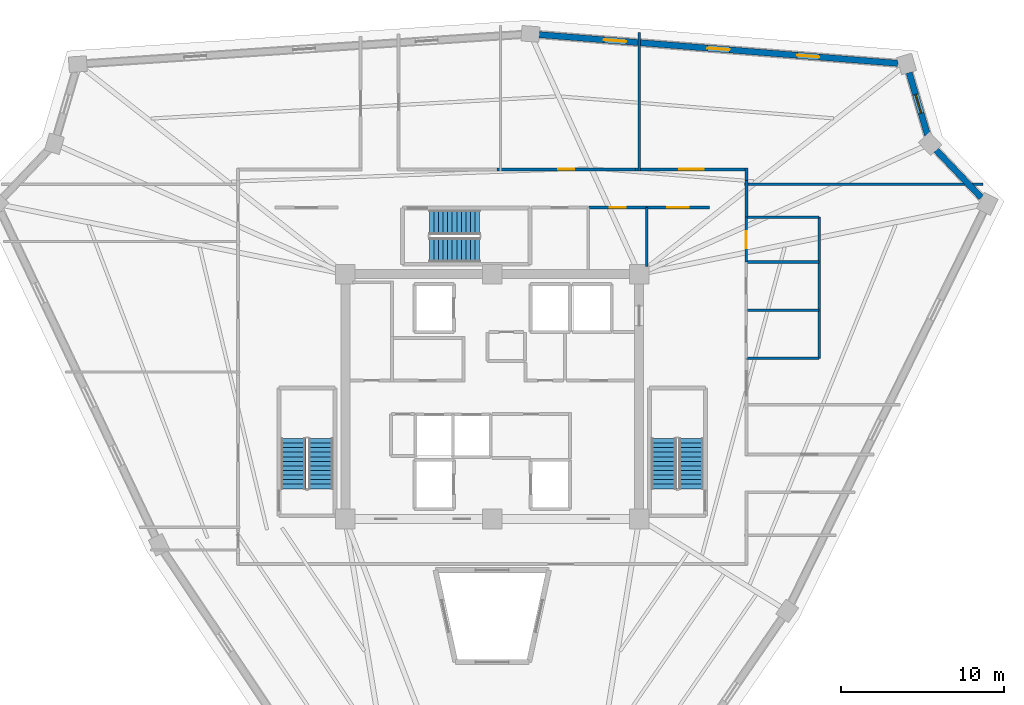
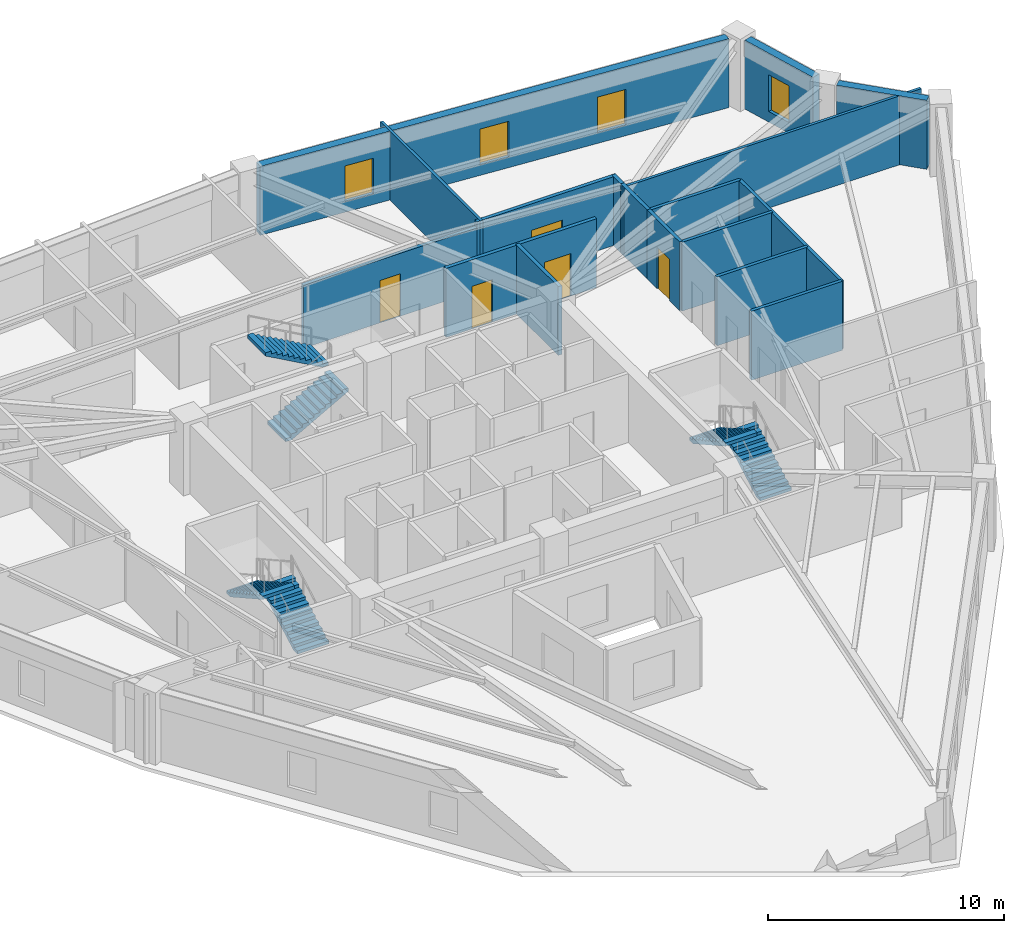
# One storey, part 7 of 8: 18 walls, 6 stair flights, 5 doors, 4 windows, 9 openings, 3 elements without a shape of their own.
"""IFC4 building model written with IfcOpenShell, lengths in metres."""

import ifcopenshell
import ifcopenshell.guid

model = None  # the IFC model being written
_history = None  # IfcOwnerHistory: only IFC2X3 demands one
_inside = {}  # id of a spatial element -> (the spatial element, [elements in it])
_under = {}  # id of a project, library or spatial element -> (it, [spatial elements below it])
_declared = {}  # id of a project -> (the project, [libraries it declares])
_typed = {}  # id of a type object -> (the type object, [elements of that type])
_made_of = {}  # id of a material, layer set ... -> (it, [elements and type objects made of it])


def new_model(schema):
    """Start an empty IFC model of exactly this schema.

    Asked for "IFC4X3", IfcOpenShell would pick the latest addendum, in which some entities
    have other attributes; the version numbers below select the first issue.
    IFC2X3 requires an IfcOwnerHistory on every rooted entity: one is made here for all.
    """
    global model, _history
    if schema == "IFC4X3":
        model = ifcopenshell.file(schema_version=(4, 3, 0, 0))
    else:
        model = ifcopenshell.file(schema=schema)
    _inside.clear()
    _under.clear()
    _declared.clear()
    _typed.clear()
    _made_of.clear()
    _history = None
    if model.schema == "IFC2X3":
        org = make("IfcOrganization", Name="unknown")
        user = make(
            "IfcPersonAndOrganization",
            ThePerson=make("IfcPerson", FamilyName="unknown"),
            TheOrganization=org,
        )
        app = make(
            "IfcApplication",
            ApplicationDeveloper=org,
            Version="unknown",
            ApplicationFullName="unknown",
            ApplicationIdentifier="unknown",
        )
        _history = make(
            "IfcOwnerHistory",
            OwningUser=user,
            OwningApplication=app,
            ChangeAction="ADDED",
            CreationDate=0,
        )
    return model


def make(cls, **values):
    """One entity of the class cls with the attributes given. An attribute that is None is left unset."""
    return model.create_entity(
        cls, **{name: value for name, value in values.items() if value is not None}
    )


def rooted(cls, **values):
    """An entity with a GlobalId (a new one), such as an element, a storey or a relation."""
    return make(cls, GlobalId=ifcopenshell.guid.new(), OwnerHistory=_history, **values)


def si_unit(unit_type, name, prefix=None):
    """IfcSIUnit, for example si_unit("LENGTHUNIT", "METRE", prefix="MILLI")."""
    return make("IfcSIUnit", UnitType=unit_type, Prefix=prefix, Name=name)


def assignment(units):
    """IfcUnitAssignment: the units of a project."""
    return None if units is None else make("IfcUnitAssignment", Units=units)


def point(xyz):
    """IfcCartesianPoint."""
    return None if xyz is None else make("IfcCartesianPoint", Coordinates=xyz)


def direction(xyz):
    """IfcDirection."""
    return None if xyz is None else make("IfcDirection", DirectionRatios=xyz)


def frame(location, z_axis=None, x_axis=None):
    """IfcAxis2Placement3D, a coordinate frame: its origin and axes. An axis left out is left unset."""
    return make(
        "IfcAxis2Placement3D",
        Location=point(location),
        Axis=direction(z_axis),
        RefDirection=direction(x_axis),
    )


def frame_2d(location, x_axis=None):
    """IfcAxis2Placement2D, a coordinate frame in the plane: its origin and x axis."""
    return make(
        "IfcAxis2Placement2D", Location=point(location), RefDirection=direction(x_axis)
    )


def origin():
    """The frame at (0, 0, 0) with its axes left unset."""
    return frame((0.0, 0.0, 0.0))


def place(relative_to, where):
    """IfcLocalPlacement: puts the frame where relative to a parent placement (None: the world)."""
    return make(
        "IfcLocalPlacement", PlacementRelTo=relative_to, RelativePlacement=where
    )


def context(
    kind, dimensions, precision=None, world=None, true_north=None, identifier=None
):
    """IfcGeometricRepresentationContext, for example the 3D "Model" context."""
    return make(
        "IfcGeometricRepresentationContext",
        ContextIdentifier=identifier,
        ContextType=kind,
        CoordinateSpaceDimension=dimensions,
        Precision=precision,
        WorldCoordinateSystem=world,
        TrueNorth=true_north,
    )


def subcontext(parent, identifier, kind, view, scale=None):
    """IfcGeometricRepresentationSubContext, for example "Body" below "Model"."""
    return make(
        "IfcGeometricRepresentationSubContext",
        ContextIdentifier=identifier,
        ContextType=kind,
        ParentContext=parent,
        TargetScale=scale,
        TargetView=view,
    )


def project(units=None, contexts=None):
    """IfcProject with its units and contexts."""
    return rooted(
        "IfcProject",
        Name="project",
        RepresentationContexts=contexts,
        UnitsInContext=assignment(units),
    )


def spatial(cls, under=None, at=None, **own):
    """A site, building, storey or space (cls), placed at a placement, below another one or the project."""
    s = rooted(cls, ObjectPlacement=at, **own)
    if under is not None:
        _under.setdefault(under.id(), (under, []))[1].append(s)
    return s


def polyline(points):
    """IfcPolyline through the points."""
    return make("IfcPolyline", Points=[point(p) for p in points])


def profile(cls, at=None, kind="AREA", **sizes):
    """A parametric profile (cls). Its sizes go by their IFC names, for example OverallWidth=200.0."""
    return make(cls, ProfileType=kind, Position=at, **sizes)


def rectangle(**sizes):
    """IfcRectangleProfileDef."""
    return profile("IfcRectangleProfileDef", **sizes)


def outline(outer, holes=None, kind="AREA"):
    """IfcArbitraryClosedProfileDef: a profile drawn as a closed curve; with holes, ...WithVoids."""
    if holes is None:
        return make("IfcArbitraryClosedProfileDef", ProfileType=kind, OuterCurve=outer)
    return make(
        "IfcArbitraryProfileDefWithVoids",
        ProfileType=kind,
        OuterCurve=outer,
        InnerCurves=holes,
    )


def extrude(swept, where, along, depth):
    """IfcExtrudedAreaSolid: the profile swept, set in the frame where, extruded along a direction by depth."""
    return make(
        "IfcExtrudedAreaSolid",
        SweptArea=swept,
        Position=where,
        ExtrudedDirection=direction(along),
        Depth=depth,
    )


def shape(context_of_items, identifier, shape_type, items):
    """IfcShapeRepresentation: the items that make up one representation, for example the "Body"."""
    return make(
        "IfcShapeRepresentation",
        ContextOfItems=context_of_items,
        RepresentationIdentifier=identifier,
        RepresentationType=shape_type,
        Items=items,
    )


def source(mapping_origin, context_of_items, identifier, shape_type, items):
    """IfcRepresentationMap: a shape defined once, which mapped items show again and again."""
    return make(
        "IfcRepresentationMap",
        MappingOrigin=mapping_origin,
        MappedRepresentation=shape(context_of_items, identifier, shape_type, items),
    )


def transform(
    local_origin,
    x_axis=None,
    y_axis=None,
    z_axis=None,
    scale=None,
    scale2=None,
    scale3=None,
    uniform=True,
):
    """IfcCartesianTransformationOperator3D, or its non-uniform kind. x_axis, y_axis, z_axis: its Axis1, 2, 3."""
    if uniform:
        return make(
            "IfcCartesianTransformationOperator3D",
            Axis1=direction(x_axis),
            Axis2=direction(y_axis),
            LocalOrigin=point(local_origin),
            Scale=scale,
            Axis3=direction(z_axis),
        )
    return make(
        "IfcCartesianTransformationOperator3DnonUniform",
        Axis1=direction(x_axis),
        Axis2=direction(y_axis),
        LocalOrigin=point(local_origin),
        Scale=scale,
        Axis3=direction(z_axis),
        Scale2=scale2,
        Scale3=scale3,
    )


def mapped(mapping_source, mapping_target):
    """IfcMappedItem: shows the shape of a source again, moved by a transform."""
    return make(
        "IfcMappedItem", MappingSource=mapping_source, MappingTarget=mapping_target
    )


def material(Name=None, Category=None):
    """IfcMaterial."""
    return make("IfcMaterial", Name=Name, Category=Category)


def layer(
    of_material, thickness, ventilated=None, Name=None, Category=None, Priority=None
):
    """IfcMaterialLayer: one layer of a wall or slab, of a material (None: an air gap)."""
    return make(
        "IfcMaterialLayer",
        Material=of_material,
        LayerThickness=thickness,
        IsVentilated=ventilated,
        Name=Name,
        Category=Category,
        Priority=Priority,
    )


def layer_set(layers, Name=None):
    """IfcMaterialLayerSet."""
    return make("IfcMaterialLayerSet", MaterialLayers=layers, LayerSetName=Name)


def made_of(thing, what):
    """Note that an element or type object is made of a material, layer set ...; save() writes the relation."""
    if what is not None:
        _made_of.setdefault(what.id(), (what, []))[1].append(thing)
    return thing


def type_object(cls, material=None, **own):
    """A type object (cls), such as IfcWallType, which elements share."""
    return made_of(rooted(cls, **own), material)


def element(
    cls,
    number,
    at=None,
    inside=None,
    cuts=None,
    type_object=None,
    material=None,
    context=None,
    identifier="Body",
    shape_type=None,
    held_by="IfcProductDefinitionShape",
    body=None,
    shapes=None,
    **own,
):
    """One element of the class cls, such as IfcWall. Its Tag is "e" and its number.

    at: its placement. inside: the storey or other place that contains it. cuts: it is an
    opening in that element (IfcRelVoidsElement). A single representation is given by context,
    identifier, shape_type and body (its items); several are given by shapes. held_by: the class
    of the entity that holds the representations. save() writes the other relations.
    """
    e = rooted(cls, Tag="e%d" % number, ObjectPlacement=at, **own)
    if body is not None:
        shapes = [shape(context, identifier, shape_type, body)]
    if shapes is not None:
        e.Representation = make(held_by, Representations=shapes)
    if inside is not None:
        _inside.setdefault(inside.id(), (inside, []))[1].append(e)
    if cuts is not None:
        rooted(
            "IfcRelVoidsElement", RelatingBuildingElement=cuts, RelatedOpeningElement=e
        )
    if type_object is not None:
        _typed.setdefault(type_object.id(), (type_object, []))[1].append(e)
    return made_of(e, material)


def fill(opening, filler):
    """IfcRelFillsElement: the door or window that sits in an opening."""
    return rooted(
        "IfcRelFillsElement",
        RelatingOpeningElement=opening,
        RelatedBuildingElement=filler,
    )


def aggregate(whole, parts):
    """IfcRelAggregates: a whole, such as a stair, and the parts it consists of."""
    return rooted("IfcRelAggregates", RelatingObject=whole, RelatedObjects=parts)


def save(model, path):
    """Write the relations noted so far, then the file.

    IfcRelAggregates (storeys below a building ...), IfcRelContainedInSpatialStructure (elements
    in a storey), IfcRelDefinesByType, IfcRelAssociatesMaterial and IfcRelDeclares: one each for
    every whole, place, type object, material and project.
    """
    for whole, parts in _under.values():
        aggregate(whole, parts)
    for where, things in _inside.values():
        rooted(
            "IfcRelContainedInSpatialStructure",
            RelatedElements=things,
            RelatingStructure=where,
        )
    for kind, things in _typed.values():
        rooted("IfcRelDefinesByType", RelatedObjects=things, RelatingType=kind)
    for what, things in _made_of.values():
        rooted("IfcRelAssociatesMaterial", RelatedObjects=things, RelatingMaterial=what)
    for by, libraries in _declared.values():
        rooted("IfcRelDeclares", RelatingContext=by, RelatedDefinitions=libraries)
    model.write(path)


model = new_model("IFC4")

# Units and contexts
model_context = context("Model", 3, precision=1e-05, world=origin(), true_north=direction((0.0, 1.0)))
body_context = subcontext(model_context, "Body", "Model", "MODEL_VIEW")
ifc_project = project(units=[si_unit("LENGTHUNIT", "METRE"), si_unit("AREAUNIT", "SQUARE_METRE"), si_unit("VOLUMEUNIT", "CUBIC_METRE"), si_unit("PLANEANGLEUNIT", "RADIAN"), si_unit("MASSUNIT", "GRAM", prefix="KILO")], contexts=[model_context])

# Site, building, storey
site_placement = place(None, origin())
site = spatial("IfcSite", under=ifc_project, at=site_placement, CompositionType="ELEMENT")
building_placement = place(site_placement, origin())
building = spatial("IfcBuilding", under=site, at=building_placement, Name="Liaohun Quay Tower", CompositionType="ELEMENT")
storey_placement = place(building_placement, frame((0.0, 0.0, 297.75)))
storey = spatial("IfcBuildingStorey", under=building, at=storey_placement, Name="L77", CompositionType="ELEMENT", Elevation=297.75)

# Wall
ifc_material_1 = material(Name="Precast concrete C50 insulated sandwich", Category="concrete")
ifc_layer_1 = layer(ifc_material_1, 0.3798828125, Name="Precast concrete C50 insulated sandwich", Category="concrete")
ifc_layer_set_1 = layer_set([ifc_layer_1], Name="Precast concrete C50 insulated sandwich")
wall_type_1 = type_object("IfcWallType", Name="WAL-EXT-Z34", PredefinedType="SOLIDWALL", material=ifc_layer_set_1)
wall_1_placement = place(storey_placement, frame((89.94189453125, 66.18994140625, 0.0), z_axis=(0.0, 0.0, 1.0), x_axis=(-0.689222359841, 0.724549886961, 0.0)))
element("IfcWall", 1, at=wall_1_placement, inside=storey, type_object=wall_type_1, Name="L77 Brutalist Precast Pier Wall 04", PredefinedType="SOLIDWALL", context=body_context, shape_type="SweptSolid", body=[
    extrude(rectangle(XDim=4.001220703125, YDim=0.3798828125, at=frame_2d((2.00048828125, 0.0))), origin(), (0.0, 0.0, 1.0), 3.570068359375),
])

# Wall, opening, window
wall_2_placement = place(storey_placement, frame((86.658935546875, 69.998046875, 0.0), z_axis=(0.0, 0.0, 1.0), x_axis=(-0.2823872674, 0.959300490571, 0.0)))
wall_2 = element("IfcWall", 2, at=wall_2_placement, inside=storey, type_object=wall_type_1, Name="L77 Brutalist Precast Pier Wall 05", PredefinedType="SOLIDWALL", context=body_context, shape_type="SweptSolid", body=[
    extrude(rectangle(XDim=4.008056640625, YDim=0.3798828125, at=frame_2d((2.00390625, 0.0))), origin(), (0.0, 0.0, 1.0), 3.570068359375),
])
shared_shape_1 = source(origin(), body_context, "Body", "SweptSolid", [
    extrude(rectangle(XDim=1.199951171875, YDim=1.89990234375, at=frame_2d((0.60009765625, 0.949951171875))), frame((0.0, 0.199951171875, 0.0), z_axis=(0.0, -1.0, 0.0), x_axis=(1.0, 0.0, 0.0)), (0.0, 0.0, 1.0), 0.39990234375),
])
opening_1_placement = place(wall_2_placement, frame((1.404052734375, 0.0, 0.550048828125)))
opening_1 = element("IfcOpeningElement", 3, at=opening_1_placement, cuts=wall_2, Name="Opening W05", PredefinedType="OPENING", context=body_context, shape_type="MappedRepresentation", body=[
    mapped(shared_shape_1, transform((0.0, 0.0, 0.0), x_axis=(1.0, 0.0, 0.0), y_axis=(0.0, 1.0, 0.0), z_axis=(0.0, 0.0, 1.0), scale=1.0)),
])
ifc_material_2 = material(Name="Triple Low-E corner notch glazing", Category="glass")
window_type_1 = type_object("IfcWindowType", Name="WIN-NOTCH", PartitioningType="SINGLE_PANEL", PredefinedType="WINDOW", material=ifc_material_2)
shared_shape_2 = source(origin(), body_context, "Body", "SweptSolid", [
    extrude(rectangle(XDim=1.199951171875, YDim=1.89990234375, at=frame_2d((0.60009765625, 0.949951171875))), frame((0.0, 0.030029296875, 0.0), z_axis=(0.0, -1.0, 0.0), x_axis=(1.0, 0.0, 0.0)), (0.0, 0.0, 1.0), 0.06005859375),
])
window_1_placement = place(opening_1_placement, origin())
window_1 = element("IfcWindow", 4, at=window_1_placement, inside=storey, type_object=window_type_1, Name="L77 Corner Notch Window W05-05", OverallHeight=1.89990234375, OverallWidth=1.199951171875, PartitioningType="SINGLE_PANEL", PredefinedType="WINDOW", context=body_context, shape_type="MappedRepresentation", body=[
    mapped(shared_shape_2, transform((0.0, 0.0, 0.0), x_axis=(1.0, 0.0, 0.0), y_axis=(0.0, 1.0, 0.0), z_axis=(0.0, 0.0, 1.0), scale=1.0)),
])
fill(opening_1, window_1)

# Wall, openings, windows
wall_3_placement = place(storey_placement, frame((84.8359375, 74.404052734375, 0.0), z_axis=(0.0, 0.0, 1.0), x_axis=(-0.996807769303, 0.079839032169, 0.0)))
wall_3 = element("IfcWall", 5, at=wall_3_placement, inside=storey, type_object=wall_type_1, Name="L77 Brutalist Precast Pier Wall 06", PredefinedType="SOLIDWALL", context=body_context, shape_type="SweptSolid", body=[
    extrude(rectangle(XDim=22.0322265625, YDim=0.3798828125, at=frame_2d((11.01611328125, 0.0))), origin(), (0.0, 0.0, 1.0), 3.570068359375),
])
shared_shape_3 = source(origin(), body_context, "Body", "SweptSolid", [
    extrude(rectangle(XDim=1.35009765625, YDim=1.85009765625, at=frame_2d((0.675048828125, 0.925048828125))), frame((0.0, 0.199951171875, 0.0), z_axis=(0.0, -1.0, 0.0), x_axis=(1.0, 0.0, 0.0)), (0.0, 0.0, 1.0), 0.39990234375),
])
opening_2_placement = place(wall_3_placement, frame((4.8330078125, 0.0, 0.550048828125)))
opening_2 = element("IfcOpeningElement", 6, at=opening_2_placement, cuts=wall_3, Name="Opening W04", PredefinedType="OPENING", context=body_context, shape_type="MappedRepresentation", body=[
    mapped(shared_shape_3, transform((0.0, 0.0, 0.0), x_axis=(1.0, 0.0, 0.0), y_axis=(0.0, 1.0, 0.0), z_axis=(0.0, 0.0, 1.0), scale=1.0)),
])
opening_3_placement = place(wall_3_placement, frame((10.341064453125, 0.0, 0.550048828125)))
opening_3 = element("IfcOpeningElement", 7, at=opening_3_placement, cuts=wall_3, Name="Opening W04", PredefinedType="OPENING", context=body_context, shape_type="MappedRepresentation", body=[
    mapped(shared_shape_3, transform((0.0, 0.0, 0.0), x_axis=(1.0, 0.0, 0.0), y_axis=(0.0, 1.0, 0.0), z_axis=(0.0, 0.0, 1.0), scale=1.0)),
])
opening_4_placement = place(wall_3_placement, frame((16.698974609375, 0.0, 0.550048828125)))
opening_4 = element("IfcOpeningElement", 8, at=opening_4_placement, cuts=wall_3, Name="Opening W04", PredefinedType="OPENING", context=body_context, shape_type="MappedRepresentation", body=[
    mapped(shared_shape_3, transform((0.0, 0.0, 0.0), x_axis=(1.0, 0.0, 0.0), y_axis=(0.0, 1.0, 0.0), z_axis=(0.0, 0.0, 1.0), scale=1.0)),
])
ifc_material_3 = material(Name="Triple Low-E argon glazing in thermally broken aluminium", Category="aluminium")
window_type_2 = type_object("IfcWindowType", Name="WIN-PUN-Z4", PartitioningType="SINGLE_PANEL", PredefinedType="WINDOW", material=ifc_material_3)
shared_shape_4 = source(origin(), body_context, "Body", "SweptSolid", [
    extrude(rectangle(XDim=1.35009765625, YDim=1.85009765625, at=frame_2d((0.675048828125, 0.925048828125))), frame((0.0, 0.030029296875, 0.0), z_axis=(0.0, -1.0, 0.0), x_axis=(1.0, 0.0, 0.0)), (0.0, 0.0, 1.0), 0.06005859375),
])
window_2_placement = place(opening_2_placement, origin())
window_2 = element("IfcWindow", 9, at=window_2_placement, inside=storey, type_object=window_type_2, Name="L77 Recessed Cold-Climate Punched Window 06-1", OverallHeight=1.85009765625, OverallWidth=1.35009765625, PartitioningType="SINGLE_PANEL", PredefinedType="WINDOW", context=body_context, shape_type="MappedRepresentation", body=[
    mapped(shared_shape_4, transform((0.0, 0.0, 0.0), x_axis=(1.0, 0.0, 0.0), y_axis=(0.0, 1.0, 0.0), z_axis=(0.0, 0.0, 1.0), scale=1.0)),
])
fill(opening_2, window_2)
window_3_placement = place(opening_3_placement, origin())
window_3 = element("IfcWindow", 10, at=window_3_placement, inside=storey, type_object=window_type_2, Name="L77 Recessed Cold-Climate Punched Window 06-2", OverallHeight=1.85009765625, OverallWidth=1.35009765625, PartitioningType="SINGLE_PANEL", PredefinedType="WINDOW", context=body_context, shape_type="MappedRepresentation", body=[
    mapped(shared_shape_4, transform((0.0, 0.0, 0.0), x_axis=(1.0, 0.0, 0.0), y_axis=(0.0, 1.0, 0.0), z_axis=(0.0, 0.0, 1.0), scale=1.0)),
])
fill(opening_3, window_3)
window_4_placement = place(opening_4_placement, origin())
window_4 = element("IfcWindow", 11, at=window_4_placement, inside=storey, type_object=window_type_2, Name="L77 Recessed Cold-Climate Punched Window 06-3", OverallHeight=1.85009765625, OverallWidth=1.35009765625, PartitioningType="SINGLE_PANEL", PredefinedType="WINDOW", context=body_context, shape_type="MappedRepresentation", body=[
    mapped(shared_shape_4, transform((0.0, 0.0, 0.0), x_axis=(1.0, 0.0, 0.0), y_axis=(0.0, 1.0, 0.0), z_axis=(0.0, 0.0, 1.0), scale=1.0)),
])
fill(opening_4, window_4)

# Wall, opening, door
ifc_material_4 = material(Name="Autoclaved aerated concrete blockwork", Category="masonry")
ifc_layer_2 = layer(ifc_material_4, 0.179931640625, Name="Autoclaved aerated concrete blockwork", Category="masonry")
ifc_layer_set_2 = layer_set([ifc_layer_2], Name="Autoclaved aerated concrete blockwork")
wall_type_2 = type_object("IfcWallType", Name="WAL-PRT-COR", PredefinedType="PARTITIONING", material=ifc_layer_set_2)
wall_4_placement = place(storey_placement, frame((65.919921875, 65.580078125, 0.0), z_axis=(0.0, 0.0, 1.0), x_axis=(1.0, 0.0, 0.0)))
wall_4 = element("IfcWall", 12, at=wall_4_placement, inside=storey, type_object=wall_type_2, Name="L77 Interior Partition Wall 012", PredefinedType="PARTITIONING", context=body_context, shape_type="SweptSolid", body=[
    extrude(rectangle(XDim=3.5400390625, YDim=0.179931640625, at=frame_2d((1.77001953125, 0.0))), origin(), (0.0, 0.0, 1.0), 3.570068359375),
])
shared_shape_5 = source(origin(), body_context, "Body", "SweptSolid", [
    extrude(rectangle(XDim=1.0, YDim=2.199951171875, at=frame_2d((0.5, 1.10009765625))), frame((0.0, 0.099853515625, 0.0), z_axis=(0.0, -1.0, 0.0), x_axis=(1.0, 0.0, 0.0)), (0.0, 0.0, 1.0), 0.199951171875),
])
opening_5_placement = place(wall_4_placement, frame((1.27001953125, 0.0, 0.0)))
opening_5 = element("IfcOpeningElement", 13, at=opening_5_placement, cuts=wall_4, Name="Opening OD1", PredefinedType="OPENING", context=body_context, shape_type="MappedRepresentation", body=[
    mapped(shared_shape_5, transform((0.0, 0.0, 0.0), x_axis=(1.0, 0.0, 0.0), y_axis=(0.0, 1.0, 0.0), z_axis=(0.0, 0.0, 1.0), scale=1.0)),
])
ifc_material_5 = material(Name="Solid-core oak veneer timber leaf in steel frame", Category="steel")
door_type_1 = type_object("IfcDoorType", Name="DOR-OFF-1000", OperationType="NOTDEFINED", PredefinedType="DOOR", material=ifc_material_5)
shared_shape_6 = source(origin(), body_context, "Body", "SweptSolid", [
    extrude(rectangle(XDim=1.0, YDim=2.199951171875, at=frame_2d((0.5, 1.10009765625))), frame((0.0, 0.02490234375, 0.0), z_axis=(0.0, -1.0, 0.0), x_axis=(1.0, 0.0, 0.0)), (0.0, 0.0, 1.0), 0.050048828125),
])
door_1_placement = place(opening_5_placement, origin())
door_1 = element("IfcDoor", 14, at=door_1_placement, inside=storey, type_object=door_type_1, Name="L77 North-East Pantry Room Door", OperationType="SINGLE_SWING_RIGHT", OverallHeight=2.199951171875, OverallWidth=1.0, PredefinedType="DOOR", context=body_context, shape_type="MappedRepresentation", body=[
    mapped(shared_shape_6, transform((0.0, 0.0, 0.0), x_axis=(1.0, 0.0, 0.0), y_axis=(0.0, 1.0, 0.0), z_axis=(0.0, 0.0, 1.0), scale=1.0)),
])
fill(opening_5, door_1)

wall_5_placement = place(storey_placement, frame((69.4599609375, 65.580078125, 0.0), z_axis=(0.0, 0.0, 1.0), x_axis=(1.0, 0.0, 0.0)))
wall_5 = element("IfcWall", 15, at=wall_5_placement, inside=storey, type_object=wall_type_2, Name="L77 Interior Partition Wall 014", PredefinedType="PARTITIONING", context=body_context, shape_type="SweptSolid", body=[
    extrude(rectangle(XDim=3.840087890625, YDim=0.179931640625, at=frame_2d((1.919921875, 0.0))), origin(), (0.0, 0.0, 1.0), 3.570068359375),
])
shared_shape_7 = source(origin(), body_context, "Body", "SweptSolid", [
    extrude(rectangle(XDim=1.300048828125, YDim=2.199951171875, at=frame_2d((0.64990234375, 1.10009765625))), frame((0.0, 0.099853515625, 0.0), z_axis=(0.0, -1.0, 0.0), x_axis=(1.0, 0.0, 0.0)), (0.0, 0.0, 1.0), 0.199951171875),
])
opening_6_placement = place(wall_5_placement, frame((1.27001953125, 0.0, 0.0)))
opening_6 = element("IfcOpeningElement", 16, at=opening_6_placement, cuts=wall_5, Name="Opening FD1", PredefinedType="OPENING", context=body_context, shape_type="MappedRepresentation", body=[
    mapped(shared_shape_7, transform((0.0, 0.0, 0.0), x_axis=(1.0, 0.0, 0.0), y_axis=(0.0, 1.0, 0.0), z_axis=(0.0, 0.0, 1.0), scale=1.0)),
])
ifc_material_6 = material(Name="Galvanised steel smokeproof fire door", Category="steel")
door_type_2 = type_object("IfcDoorType", Name="DOR-FFL-1300", OperationType="NOTDEFINED", PredefinedType="DOOR", material=ifc_material_6)
shared_shape_8 = source(origin(), body_context, "Body", "SweptSolid", [
    extrude(rectangle(XDim=1.300048828125, YDim=2.199951171875, at=frame_2d((0.64990234375, 1.10009765625))), frame((0.0, 0.02490234375, 0.0), z_axis=(0.0, -1.0, 0.0), x_axis=(1.0, 0.0, 0.0)), (0.0, 0.0, 1.0), 0.050048828125),
])
door_2_placement = place(opening_6_placement, origin())
door_2 = element("IfcDoor", 17, at=door_2_placement, inside=storey, type_object=door_type_2, Name="L77 East Core Vestibule Door", OperationType="SINGLE_SWING_RIGHT", OverallHeight=2.199951171875, OverallWidth=1.300048828125, PredefinedType="DOOR", context=body_context, shape_type="MappedRepresentation", body=[
    mapped(shared_shape_8, transform((0.0, 0.0, 0.0), x_axis=(1.0, 0.0, 0.0), y_axis=(0.0, 1.0, 0.0), z_axis=(0.0, 0.0, 1.0), scale=1.0)),
])
fill(opening_6, door_2)

wall_6_placement = place(storey_placement, frame((68.784912109375, 67.909912109375, 0.0), z_axis=(0.0, 0.0, 1.0), x_axis=(1.0, 0.0, 0.0)))
wall_6 = element("IfcWall", 18, at=wall_6_placement, inside=storey, type_object=wall_type_2, Name="L77 Interior Partition Wall 016", PredefinedType="PARTITIONING", context=body_context, shape_type="SweptSolid", body=[
    extrude(rectangle(XDim=6.844970703125, YDim=0.179931640625, at=frame_2d((3.42236328125, 0.0))), origin(), (0.0, 0.0, 1.0), 3.570068359375),
])
shared_shape_9 = source(origin(), body_context, "Body", "SweptSolid", [
    extrude(rectangle(XDim=1.5, YDim=2.199951171875, at=frame_2d((0.75, 1.10009765625))), frame((0.0, 0.099853515625, 0.0), z_axis=(0.0, -1.0, 0.0), x_axis=(1.0, 0.0, 0.0)), (0.0, 0.0, 1.0), 0.199951171875),
])
opening_7_placement = place(wall_6_placement, frame((2.672119140625, 0.0, 0.0)))
opening_7 = element("IfcOpeningElement", 19, at=opening_7_placement, cuts=wall_6, Name="Opening OD2", PredefinedType="OPENING", context=body_context, shape_type="MappedRepresentation", body=[
    mapped(shared_shape_9, transform((0.0, 0.0, 0.0), x_axis=(1.0, 0.0, 0.0), y_axis=(0.0, 1.0, 0.0), z_axis=(0.0, 0.0, 1.0), scale=1.0)),
])
ifc_material_7 = material(Name="Acoustic oak veneer double door")
door_type_3 = type_object("IfcDoorType", Name="DOR-OFF-1500", OperationType="DOUBLE_DOOR_SINGLE_SWING", PredefinedType="DOOR", material=ifc_material_7)
shared_shape_10 = source(origin(), body_context, "Body", "SweptSolid", [
    extrude(rectangle(XDim=1.5, YDim=2.199951171875, at=frame_2d((0.75, 1.10009765625))), frame((0.0, 0.02490234375, 0.0), z_axis=(0.0, -1.0, 0.0), x_axis=(1.0, 0.0, 0.0)), (0.0, 0.0, 1.0), 0.050048828125),
])
door_3_placement = place(opening_7_placement, origin())
door_3 = element("IfcDoor", 20, at=door_3_placement, inside=storey, type_object=door_type_3, Name="L77 Client Collaboration Lounge 02 Door", OperationType="DOUBLE_DOOR_SINGLE_SWING", OverallHeight=2.199951171875, OverallWidth=1.5, PredefinedType="DOOR", context=body_context, shape_type="MappedRepresentation", body=[
    mapped(shared_shape_10, transform((0.0, 0.0, 0.0), x_axis=(1.0, 0.0, 0.0), y_axis=(0.0, 1.0, 0.0), z_axis=(0.0, 0.0, 1.0), scale=1.0)),
])
fill(opening_7, door_3)

wall_7_placement = place(storey_placement, frame((60.284912109375, 67.909912109375, 0.0), z_axis=(0.0, 0.0, 1.0), x_axis=(1.0, 0.0, 0.0)))
wall_7 = element("IfcWall", 21, at=wall_7_placement, inside=storey, type_object=wall_type_2, Name="L77 Interior Partition Wall 017", PredefinedType="PARTITIONING", context=body_context, shape_type="SweptSolid", body=[
    extrude(rectangle(XDim=8.5, YDim=0.179931640625, at=frame_2d((4.25, 0.0))), origin(), (0.0, 0.0, 1.0), 3.260986328125),
])
opening_8_placement = place(wall_7_placement, frame((3.75, 0.0, 0.0)))
opening_8 = element("IfcOpeningElement", 22, at=opening_8_placement, cuts=wall_7, Name="Opening OD1", PredefinedType="OPENING", context=body_context, shape_type="MappedRepresentation", body=[
    mapped(shared_shape_5, transform((0.0, 0.0, 0.0), x_axis=(1.0, 0.0, 0.0), y_axis=(0.0, 1.0, 0.0), z_axis=(0.0, 0.0, 1.0), scale=1.0)),
])
door_4_placement = place(opening_8_placement, origin())
door_4 = element("IfcDoor", 23, at=door_4_placement, inside=storey, type_object=door_type_1, Name="L77 Engineering Model Workshop 03 Door", OperationType="SINGLE_SWING_LEFT", OverallHeight=2.199951171875, OverallWidth=1.0, PredefinedType="DOOR", context=body_context, shape_type="MappedRepresentation", body=[
    mapped(shared_shape_6, transform((0.0, 0.0, 0.0), x_axis=(1.0, 0.0, 0.0), y_axis=(0.0, 1.0, 0.0), z_axis=(0.0, 0.0, 1.0), scale=1.0)),
])
fill(opening_8, door_4)

# Walls
wall_8_placement = place(storey_placement, frame((69.4599609375, 61.949951171875, 0.0), z_axis=(0.0, 0.0, 1.0), x_axis=(0.0, 1.0, 0.0)))
element("IfcWall", 24, at=wall_8_placement, inside=storey, type_object=wall_type_2, Name="L77 Interior Partition Wall 039", PredefinedType="PARTITIONING", context=body_context, shape_type="SweptSolid", body=[
    extrude(rectangle(XDim=3.630126953125, YDim=0.179931640625, at=frame_2d((1.81494140625, 0.0))), origin(), (0.0, 0.0, 1.0), 3.570068359375),
])
wall_9_placement = place(storey_placement, frame((75.56005859375, 67.215087890625, 0.0), z_axis=(0.0, 0.0, 1.0), x_axis=(0.0, -1.0, 0.0)))
element("IfcWall", 25, at=wall_9_placement, inside=storey, type_object=wall_type_2, Name="L77 Interior Partition Wall 040", PredefinedType="PARTITIONING", context=body_context, shape_type="SweptSolid", body=[
    extrude(rectangle(XDim=2.235107421875, YDim=0.179931640625, at=frame_2d((1.11767578125, 0.0))), origin(), (0.0, 0.0, 1.0), 3.570068359375),
])
wall_10_placement = place(storey_placement, frame((75.56005859375, 67.97998046875, 0.0), z_axis=(0.0, 0.0, 1.0), x_axis=(0.0, -1.0, 0.0)))
element("IfcWall", 26, at=wall_10_placement, inside=storey, type_object=wall_type_2, Name="L77 Interior Partition Wall 041", PredefinedType="PARTITIONING", context=body_context, shape_type="SweptSolid", body=[
    extrude(rectangle(XDim=0.764892578125, YDim=0.179931640625, at=frame_2d((0.38232421875, 0.0))), origin(), (0.0, 0.0, 1.0), 3.570068359375),
])
ifc_material_8 = material(Name="Gypsum board on twin steel studs", Category="steel")
ifc_layer_3 = layer(ifc_material_8, 0.139892578125, Name="Gypsum board on twin steel studs", Category="steel")
ifc_layer_set_3 = layer_set([ifc_layer_3], Name="Gypsum board on twin steel studs")
wall_type_3 = type_object("IfcWallType", Name="WAL-PRT-OFF", PredefinedType="PARTITIONING", material=ifc_layer_set_3)
wall_11_placement = place(storey_placement, frame((75.4599609375, 67.0, 0.0), z_axis=(0.0, 0.0, 1.0), x_axis=(1.0, 0.0, 0.0)))
element("IfcWall", 27, at=wall_11_placement, inside=storey, type_object=wall_type_3, Name="L77 Interior Partition Wall 056", PredefinedType="PARTITIONING", context=body_context, shape_type="SweptSolid", body=[
    extrude(rectangle(XDim=14.5810546875, YDim=0.139892578125, at=frame_2d((7.29052734375, 0.0))), origin(), (0.0, 0.0, 1.0), 3.570068359375),
])
wall_12_placement = place(storey_placement, frame((69.0, 67.81005859375, 0.0), z_axis=(0.0, 0.0, 1.0), x_axis=(0.0, 1.0, 0.0)))
element("IfcWall", 28, at=wall_12_placement, inside=storey, type_object=wall_type_3, Name="L77 Interior Partition Wall 058", PredefinedType="PARTITIONING", context=body_context, shape_type="SweptSolid", body=[
    extrude(rectangle(XDim=8.493896484375, YDim=0.139892578125, at=frame_2d((4.2470703125, 0.0))), origin(), (0.0, 0.0, 1.0), 3.570068359375),
])

# Wall, opening, door
ifc_material_9 = material(Name="Moisture-resistant masonry blockwork", Category="masonry")
ifc_layer_4 = layer(ifc_material_9, 0.159912109375, Name="Moisture-resistant masonry blockwork", Category="masonry")
ifc_layer_set_4 = layer_set([ifc_layer_4], Name="Moisture-resistant masonry blockwork")
wall_type_4 = type_object("IfcWallType", Name="WAL-PRT-WET", PredefinedType="PARTITIONING", material=ifc_layer_set_4)
wall_13_placement = place(storey_placement, frame((75.56005859375, 62.239990234375, 0.0), z_axis=(0.0, 0.0, 1.0), x_axis=(0.0, 1.0, 0.0)))
wall_13 = element("IfcWall", 29, at=wall_13_placement, inside=storey, type_object=wall_type_4, Name="L77 Interior Partition Wall 010", PredefinedType="PARTITIONING", context=body_context, shape_type="SweptSolid", body=[
    extrude(rectangle(XDim=2.739990234375, YDim=0.159912109375, at=frame_2d((1.3701171875, 0.0))), origin(), (0.0, 0.0, 1.0), 3.570068359375),
])
shared_shape_11 = source(origin(), body_context, "Body", "SweptSolid", [
    extrude(rectangle(XDim=1.050048828125, YDim=2.14990234375, at=frame_2d((0.52490234375, 1.074951171875))), frame((0.0, 0.08984375, 0.0), z_axis=(0.0, -1.0, 0.0), x_axis=(1.0, 0.0, 0.0)), (0.0, 0.0, 1.0), 0.179931640625),
])
opening_9_placement = place(wall_13_placement, frame((0.844970703125, 0.0, 0.0)))
opening_9 = element("IfcOpeningElement", 30, at=opening_9_placement, cuts=wall_13, Name="Opening WD2", PredefinedType="OPENING", context=body_context, shape_type="MappedRepresentation", body=[
    mapped(shared_shape_11, transform((0.0, 0.0, 0.0), x_axis=(1.0, 0.0, 0.0), y_axis=(0.0, 1.0, 0.0), z_axis=(0.0, 0.0, 1.0), scale=1.0)),
])
ifc_material_10 = material(Name="Accessible outward-swinging laminate door")
door_type_4 = type_object("IfcDoorType", Name="DOR-AWC-1050", OperationType="NOTDEFINED", PredefinedType="DOOR", material=ifc_material_10)
shared_shape_12 = source(origin(), body_context, "Body", "SweptSolid", [
    extrude(rectangle(XDim=1.050048828125, YDim=2.14990234375, at=frame_2d((0.52490234375, 1.074951171875))), frame((0.0, 0.02490234375, 0.0), z_axis=(0.0, -1.0, 0.0), x_axis=(1.0, 0.0, 0.0)), (0.0, 0.0, 1.0), 0.050048828125),
])
door_5_placement = place(opening_9_placement, origin())
door_5 = element("IfcDoor", 31, at=door_5_placement, inside=storey, type_object=door_type_4, Name="L77 Accessible WC Door", OperationType="SINGLE_SWING_RIGHT", OverallHeight=2.14990234375, OverallWidth=1.050048828125, PredefinedType="DOOR", context=body_context, shape_type="MappedRepresentation", body=[
    mapped(shared_shape_12, transform((0.0, 0.0, 0.0), x_axis=(1.0, 0.0, 0.0), y_axis=(0.0, 1.0, 0.0), z_axis=(0.0, 0.0, 1.0), scale=1.0)),
])
fill(opening_9, door_5)

# Walls
wall_14_placement = place(storey_placement, frame((80.02001953125, 56.340087890625, 0.0), z_axis=(0.0, 0.0, 1.0), x_axis=(0.0, 1.0, 0.0)))
element("IfcWall", 32, at=wall_14_placement, inside=storey, type_object=wall_type_4, Name="L77 Interior Partition Wall 033", PredefinedType="PARTITIONING", context=body_context, shape_type="SweptSolid", body=[
    extrude(rectangle(XDim=8.639892578125, YDim=0.159912109375, at=frame_2d((4.31982421875, 0.0))), origin(), (0.0, 0.0, 1.0), 3.570068359375),
])
for number, where, z_axis, x_axis, name in (
    (33, (75.56005859375, 56.340087890625, 0.0), (0.0, 0.0, 1.0), (1.0, 0.0, 0.0), "L77 Interior Partition Wall 034"),
    (34, (75.56005859375, 59.280029296875, 0.0), (0.0, 0.0, 1.0), (1.0, 0.0, 0.0), "L77 Interior Partition Wall 035"),
    (35, (75.56005859375, 62.239990234375, 0.0), (0.0, 0.0, 1.0), (1.0, 0.0, 0.0), "L77 Interior Partition Wall 036"),
    (36, (75.56005859375, 64.97998046875, 0.0), (0.0, 0.0, 1.0), (1.0, 0.0, 0.0), "L77 Interior Partition Wall 037"),
):
    element("IfcWall", number, at=place(storey_placement, frame(where, z_axis=z_axis, x_axis=x_axis)), inside=storey, type_object=wall_type_4, Name=name, PredefinedType="PARTITIONING", context=body_context, shape_type="SweptSolid", body=[
        extrude(rectangle(XDim=4.4599609375, YDim=0.159912109375, at=frame_2d((2.22998046875, 0.0))), origin(), (0.0, 0.0, 1.0), 3.570068359375),
    ])

# Stair, stair flights
ifc_material_11 = material(Name="Concrete C45", Category="concrete")
stair_type = type_object("IfcStairType", Name="STR-CORE-OFF", PredefinedType="HALF_TURN_STAIR", material=ifc_material_11)
stair_1_placement = place(storey_placement, origin())
stair_1 = element("IfcStair", 37, at=stair_1_placement, inside=storey, type_object=stair_type, Name="L77 Smokeproof Core Exit Stair ST-1", PredefinedType="HALF_TURN_STAIR")
stair_flight_type = type_object("IfcStairFlightType", Name="FLT-CORE-155", PredefinedType="STRAIGHT", material=ifc_material_11)
stair_flight_1_placement = place(storey_placement, frame((49.5048828125, 48.35009765625, 0.0), z_axis=(0.0, 0.0, 1.0), x_axis=(0.0, 1.0, 0.0)))
stair_flight_1 = element("IfcStairFlight", 38, at=stair_flight_1_placement, type_object=stair_flight_type, Name="ST-1 flight 1", NumberOfRisers=12, NumberOfTreads=11, PredefinedType="STRAIGHT", RiserHeight=0.15625, TreadLength=0.28, context=body_context, shape_type="SweptSolid", body=[
    extrude(outline(polyline([(0.0, 0.0), (0.0, 0.15625), (0.280029296875, 0.15625), (0.280029296875, 0.3125), (0.56005859375, 0.3125), (0.56005859375, 0.46875), (0.840087890625, 0.46875), (0.840087890625, 0.625), (1.1201171875, 0.625), (1.1201171875, 0.78125), (1.39990234375, 0.78125), (1.39990234375, 0.9375), (1.679931640625, 0.9375), (1.679931640625, 1.09375), (1.9599609375, 1.09375), (1.9599609375, 1.25), (2.239990234375, 1.25), (2.239990234375, 1.40625), (2.52001953125, 1.40625), (2.52001953125, 1.5625), (2.800048828125, 1.5625), (2.800048828125, 1.71875), (3.080078125, 1.71875), (3.080078125, 1.875), (3.080078125, 1.547119140625), (0.3076171875, 0.0), (0.0, 0.0)])), frame((0.0, 0.77490234375, 0.0), z_axis=(0.0, -1.0, 0.0), x_axis=(1.0, 0.0, 0.0)), (0.0, 0.0, 1.0), 1.550048828125),
])
stair_flight_2_placement = place(storey_placement, frame((47.81494140625, 51.429931640625, 1.875), z_axis=(0.0, 0.0, 1.0), x_axis=(0.0, -1.0, 0.0)))
stair_flight_2 = element("IfcStairFlight", 39, at=stair_flight_2_placement, type_object=stair_flight_type, Name="ST-1 flight 2", NumberOfRisers=12, NumberOfTreads=11, PredefinedType="STRAIGHT", RiserHeight=0.15625, TreadLength=0.28, context=body_context, shape_type="SweptSolid", body=[
    extrude(outline(polyline([(0.0, 0.0), (0.0, 0.15625), (0.280029296875, 0.15625), (0.280029296875, 0.3125), (0.56005859375, 0.3125), (0.56005859375, 0.46875), (0.840087890625, 0.46875), (0.840087890625, 0.625), (1.1201171875, 0.625), (1.1201171875, 0.78125), (1.39990234375, 0.78125), (1.39990234375, 0.9375), (1.679931640625, 0.9375), (1.679931640625, 1.09375), (1.9599609375, 1.09375), (1.9599609375, 1.25), (2.239990234375, 1.25), (2.239990234375, 1.40625), (2.52001953125, 1.40625), (2.52001953125, 1.5625), (2.800048828125, 1.5625), (2.800048828125, 1.71875), (3.080078125, 1.71875), (3.080078125, 1.875), (3.080078125, 1.547119140625), (0.3076171875, 0.0), (0.0, 0.0)])), frame((0.0, 0.77490234375, 0.0), z_axis=(0.0, -1.0, 0.0), x_axis=(1.0, 0.0, 0.0)), (0.0, 0.0, 1.0), 1.550048828125),
])
aggregate(stair_1, [stair_flight_1, stair_flight_2])

stair_2_placement = place(storey_placement, origin())
stair_2 = element("IfcStair", 40, at=stair_2_placement, inside=storey, type_object=stair_type, Name="L77 Smokeproof Core Exit Stair ST-2", PredefinedType="HALF_TURN_STAIR")
stair_flight_3_placement = place(storey_placement, frame((72.18505859375, 48.35009765625, 0.0), z_axis=(0.0, 0.0, 1.0), x_axis=(0.0, 1.0, 0.0)))
stair_flight_3 = element("IfcStairFlight", 41, at=stair_flight_3_placement, type_object=stair_flight_type, Name="ST-2 flight 1", NumberOfRisers=12, NumberOfTreads=11, PredefinedType="STRAIGHT", RiserHeight=0.15625, TreadLength=0.28, context=body_context, shape_type="SweptSolid", body=[
    extrude(outline(polyline([(0.0, 0.0), (0.0, 0.15625), (0.280029296875, 0.15625), (0.280029296875, 0.3125), (0.56005859375, 0.3125), (0.56005859375, 0.46875), (0.840087890625, 0.46875), (0.840087890625, 0.625), (1.1201171875, 0.625), (1.1201171875, 0.78125), (1.39990234375, 0.78125), (1.39990234375, 0.9375), (1.679931640625, 0.9375), (1.679931640625, 1.09375), (1.9599609375, 1.09375), (1.9599609375, 1.25), (2.239990234375, 1.25), (2.239990234375, 1.40625), (2.52001953125, 1.40625), (2.52001953125, 1.5625), (2.800048828125, 1.5625), (2.800048828125, 1.71875), (3.080078125, 1.71875), (3.080078125, 1.875), (3.080078125, 1.547119140625), (0.3076171875, 0.0), (0.0, 0.0)])), frame((0.0, 0.77490234375, 0.0), z_axis=(0.0, -1.0, 0.0), x_axis=(1.0, 0.0, 0.0)), (0.0, 0.0, 1.0), 1.550048828125),
])
stair_flight_4_placement = place(storey_placement, frame((70.4951171875, 51.429931640625, 1.875), z_axis=(0.0, 0.0, 1.0), x_axis=(0.0, -1.0, 0.0)))
stair_flight_4 = element("IfcStairFlight", 42, at=stair_flight_4_placement, type_object=stair_flight_type, Name="ST-2 flight 2", NumberOfRisers=12, NumberOfTreads=11, PredefinedType="STRAIGHT", RiserHeight=0.15625, TreadLength=0.28, context=body_context, shape_type="SweptSolid", body=[
    extrude(outline(polyline([(0.0, 0.0), (0.0, 0.15625), (0.280029296875, 0.15625), (0.280029296875, 0.3125), (0.56005859375, 0.3125), (0.56005859375, 0.46875), (0.840087890625, 0.46875), (0.840087890625, 0.625), (1.1201171875, 0.625), (1.1201171875, 0.78125), (1.39990234375, 0.78125), (1.39990234375, 0.9375), (1.679931640625, 0.9375), (1.679931640625, 1.09375), (1.9599609375, 1.09375), (1.9599609375, 1.25), (2.239990234375, 1.25), (2.239990234375, 1.40625), (2.52001953125, 1.40625), (2.52001953125, 1.5625), (2.800048828125, 1.5625), (2.800048828125, 1.71875), (3.080078125, 1.71875), (3.080078125, 1.875), (3.080078125, 1.547119140625), (0.3076171875, 0.0), (0.0, 0.0)])), frame((0.0, 0.77490234375, 0.0), z_axis=(0.0, -1.0, 0.0), x_axis=(1.0, 0.0, 0.0)), (0.0, 0.0, 1.0), 1.550048828125),
])
aggregate(stair_2, [stair_flight_3, stair_flight_4])

stair_3_placement = place(storey_placement, origin())
stair_3 = element("IfcStair", 43, at=stair_3_placement, inside=storey, type_object=stair_type, Name="L77 Smokeproof Core Exit Stair ST-3", PredefinedType="HALF_TURN_STAIR")
stair_flight_5_placement = place(storey_placement, frame((56.14990234375, 62.97509765625, 0.0), z_axis=(0.0, 0.0, 1.0), x_axis=(1.0, 0.0, 0.0)))
stair_flight_5 = element("IfcStairFlight", 44, at=stair_flight_5_placement, type_object=stair_flight_type, Name="ST-3 flight 1", NumberOfRisers=12, NumberOfTreads=11, PredefinedType="STRAIGHT", RiserHeight=0.15625, TreadLength=0.28, context=body_context, shape_type="SweptSolid", body=[
    extrude(outline(polyline([(0.0, 0.0), (0.0, 0.15625), (0.280029296875, 0.15625), (0.280029296875, 0.3125), (0.56005859375, 0.3125), (0.56005859375, 0.46875), (0.840087890625, 0.46875), (0.840087890625, 0.625), (1.1201171875, 0.625), (1.1201171875, 0.78125), (1.39990234375, 0.78125), (1.39990234375, 0.9375), (1.679931640625, 0.9375), (1.679931640625, 1.09375), (1.9599609375, 1.09375), (1.9599609375, 1.25), (2.239990234375, 1.25), (2.239990234375, 1.40625), (2.52001953125, 1.40625), (2.52001953125, 1.5625), (2.800048828125, 1.5625), (2.800048828125, 1.71875), (3.080078125, 1.71875), (3.080078125, 1.875), (3.080078125, 1.547119140625), (0.3076171875, 0.0), (0.0, 0.0)])), frame((0.0, 0.77490234375, 0.0), z_axis=(0.0, -1.0, 0.0), x_axis=(1.0, 0.0, 0.0)), (0.0, 0.0, 1.0), 1.550048828125),
])
stair_flight_6_placement = place(storey_placement, frame((59.22998046875, 64.6650390625, 1.875), z_axis=(0.0, 0.0, 1.0), x_axis=(-1.0, 0.0, 0.0)))
stair_flight_6 = element("IfcStairFlight", 45, at=stair_flight_6_placement, type_object=stair_flight_type, Name="ST-3 flight 2", NumberOfRisers=12, NumberOfTreads=11, PredefinedType="STRAIGHT", RiserHeight=0.15625, TreadLength=0.28, context=body_context, shape_type="SweptSolid", body=[
    extrude(outline(polyline([(0.0, 0.0), (0.0, 0.15625), (0.280029296875, 0.15625), (0.280029296875, 0.3125), (0.56005859375, 0.3125), (0.56005859375, 0.46875), (0.840087890625, 0.46875), (0.840087890625, 0.625), (1.1201171875, 0.625), (1.1201171875, 0.78125), (1.39990234375, 0.78125), (1.39990234375, 0.9375), (1.679931640625, 0.9375), (1.679931640625, 1.09375), (1.9599609375, 1.09375), (1.9599609375, 1.25), (2.239990234375, 1.25), (2.239990234375, 1.40625), (2.52001953125, 1.40625), (2.52001953125, 1.5625), (2.800048828125, 1.5625), (2.800048828125, 1.71875), (3.080078125, 1.71875), (3.080078125, 1.875), (3.080078125, 1.547119140625), (0.3076171875, 0.0), (0.0, 0.0)])), frame((0.0, 0.77490234375, 0.0), z_axis=(0.0, -1.0, 0.0), x_axis=(1.0, 0.0, 0.0)), (0.0, 0.0, 1.0), 1.550048828125),
])
aggregate(stair_3, [stair_flight_5, stair_flight_6])

save(model, "model.ifc")
